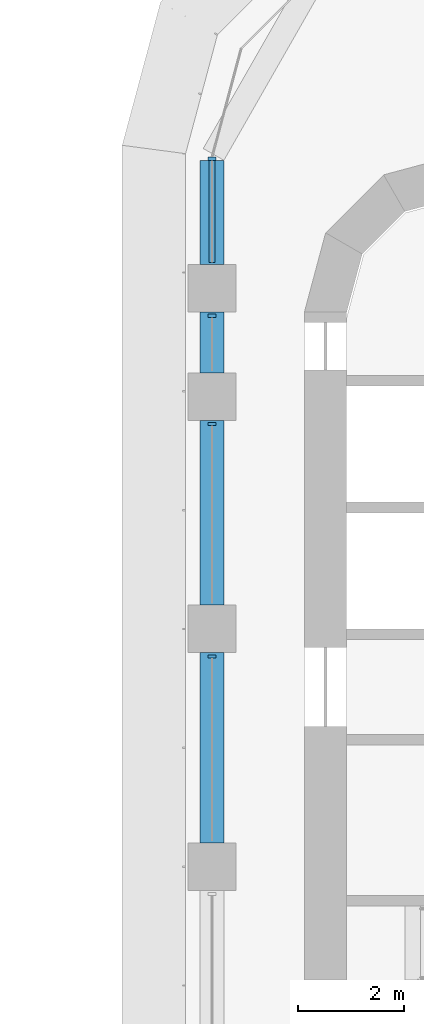
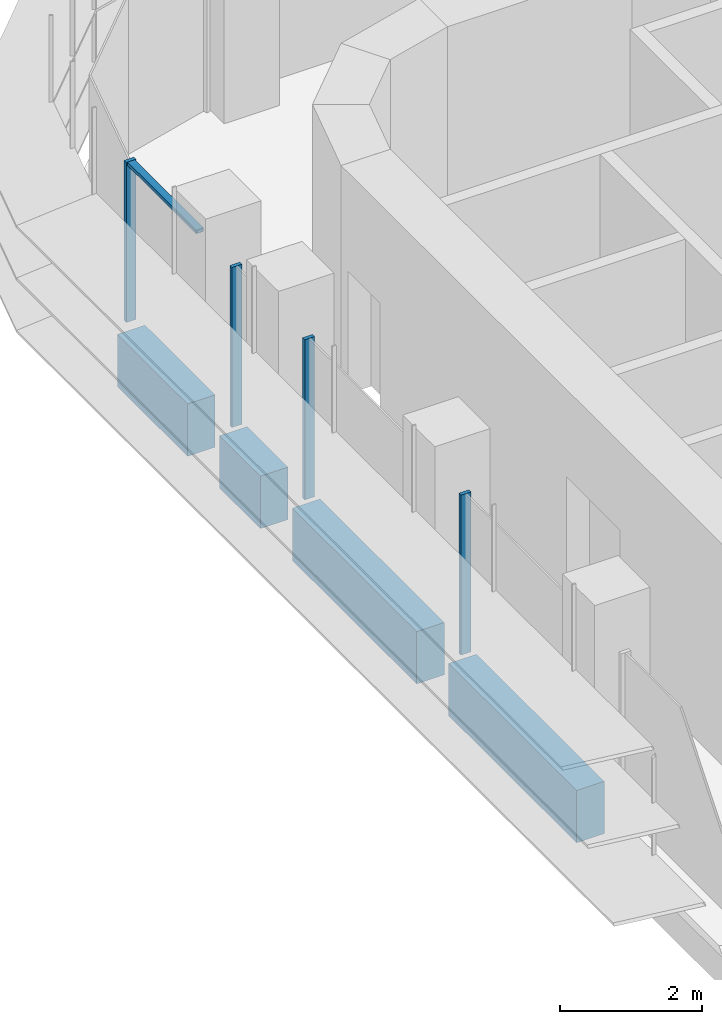
# One storey, part 7 of 23: 5 members, 4 beams, 1 element without a shape of its own.
"""IFC4 building model written with IfcOpenShell, lengths in metres."""

from ifc_helpers import new_model, si_unit, direction, frame, origin, origin_2d, place, context, subcontext, project, spatial, polyline, rectangle, outline, extrude, source, transform, mapped, material, material_profile, profile_set, type_object, element, aggregate, save


model = new_model("IFC4")

# Units and contexts
model_context = context("Model", 3, precision=1e-05, world=origin(), true_north=direction((0.0, 1.0)))
body_context = subcontext(model_context, "Body", "Model", "MODEL_VIEW")
ifc_project = project(units=[si_unit("LENGTHUNIT", "METRE"), si_unit("AREAUNIT", "SQUARE_METRE"), si_unit("VOLUMEUNIT", "CUBIC_METRE"), si_unit("PLANEANGLEUNIT", "RADIAN"), si_unit("MASSUNIT", "GRAM", prefix="KILO")], contexts=[model_context])

# Site, building, storey
site_placement = place(None, origin())
site = spatial("IfcSite", under=ifc_project, at=site_placement, CompositionType="ELEMENT")
building_placement = place(site_placement, origin())
building = spatial("IfcBuilding", under=site, at=building_placement, Name="Zarbagh Exchange Tower", CompositionType="ELEMENT")
storey_placement = place(building_placement, frame((0.0, 0.0, 86.60009765625)))
storey = spatial("IfcBuildingStorey", under=building, at=storey_placement, Name="L19", CompositionType="ELEMENT", Elevation=86.60009765625)

# Beams
ifc_material_1 = material(Name="Concrete C60/75", Category="concrete")
ifc_material_profile = material_profile(ifc_material_1, rectangle(XDim=0.449951171875, YDim=0.89990234375, at=origin_2d()), Name="RC spandrel beam 450 x 900 C60/75")
ifc_profile_set = profile_set([ifc_material_profile], Name="Concrete C60/75")
beam_type = type_object("IfcBeamType", Name="RC spandrel beam 450 x 900 C60/75", PredefinedType="SPANDREL", material=ifc_profile_set)
beam_1_placement = place(storey_placement, frame((-6.25, 16.199951171875, -0.60009765625), z_axis=(0.0, 1.0, 0.0), x_axis=(-1.0, 0.0, 0.0)))
element("IfcBeam", 1, at=beam_1_placement, inside=storey, type_object=beam_type, Name="RC spandrel beam", PredefinedType="SPANDREL", context=body_context, shape_type="SweptSolid", body=[
    extrude(rectangle(XDim=0.449951171875, YDim=0.89990234375, at=origin_2d()), origin(), (0.0, 0.0, 1.0), 3.60009765625),
])
beam_2_placement = place(storey_placement, frame((-6.25, 20.699951171875, -0.60009765625), z_axis=(0.0, 1.0, 0.0), x_axis=(-1.0, 0.0, 0.0)))
element("IfcBeam", 2, at=beam_2_placement, inside=storey, type_object=beam_type, Name="RC spandrel beam", PredefinedType="SPANDREL", context=body_context, shape_type="SweptSolid", body=[
    extrude(rectangle(XDim=0.449951171875, YDim=0.89990234375, at=origin_2d()), origin(), (0.0, 0.0, 1.0), 3.5),
])
beam_3_placement = place(storey_placement, frame((-6.25, 25.10009765625, -0.60009765625), z_axis=(0.0, 1.0, 0.0), x_axis=(-1.0, 0.0, 0.0)))
element("IfcBeam", 3, at=beam_3_placement, inside=storey, type_object=beam_type, Name="RC spandrel beam", PredefinedType="SPANDREL", context=body_context, shape_type="SweptSolid", body=[
    extrude(rectangle(XDim=0.449951171875, YDim=0.89990234375, at=origin_2d()), origin(), (0.0, 0.0, 1.0), 1.14990234375),
])
beam_4_placement = place(storey_placement, frame((-6.25, 27.14990234375, -0.60009765625), z_axis=(0.0, 1.0, 0.0), x_axis=(-1.0, 0.0, 0.0)))
element("IfcBeam", 4, at=beam_4_placement, inside=storey, type_object=beam_type, Name="RC spandrel beam", PredefinedType="SPANDREL", context=body_context, shape_type="SweptSolid", body=[
    extrude(rectangle(XDim=0.449951171875, YDim=0.89990234375, at=origin_2d()), origin(), (0.0, 0.0, 1.0), 1.974609375),
])

# Curtain wall, members
ifc_material_2 = material(Name="Anodised aluminium frame and glazing", Category="aluminium")
curtain_wall_type = type_object("IfcCurtainWallType", Name="CWA Ribbon glazing, lower zones", PredefinedType="NOTDEFINED", material=ifc_material_2)
curtain_wall_placement = place(storey_placement, origin())
curtain_wall = element("IfcCurtainWall", 5, at=curtain_wall_placement, inside=storey, type_object=curtain_wall_type, Name="CWA28 curtain wall", PredefinedType="NOTDEFINED")
ifc_material_3 = material(Name="Anodised aluminium frame", Category="aluminium")
member_type_1 = type_object("IfcMemberType", Name="MUA Mullion, anodised aluminium frame", PredefinedType="MULLION", material=ifc_material_3)
shared_shape_1 = source(origin(), body_context, "Body", "SweptSolid", [
    extrude(outline(polyline([(0.0, -0.080078125), (0.06005859375, -0.080078125), (0.06005859375, 0.080078125), (0.0, 0.080078125), (0.0, -0.080078125)])), origin(), (0.0, 0.0, 1.0), 2.75),
])
placement = place(storey_placement, origin())
member_1 = element("IfcMember", 6, at=placement, type_object=member_type_1, Name="CWA28 mullion 1.1", PredefinedType="MULLION", context=body_context, shape_type="MappedRepresentation", body=[
    mapped(shared_shape_1, transform((-6.25, 29.18408203125, 0.0), x_axis=(0.0, -1.0, 0.0), y_axis=(1.0, 0.0, 0.0), z_axis=(0.0, 0.0, 1.0))),
])
member_2 = element("IfcMember", 7, at=placement, type_object=member_type_1, Name="CWA28 mullion 2.1", PredefinedType="MULLION", context=body_context, shape_type="MappedRepresentation", body=[
    mapped(shared_shape_1, transform((-6.25, 26.2099609375, 0.0), x_axis=(0.0, -1.0, 0.0), y_axis=(1.0, 0.0, 0.0), z_axis=(0.0, 0.0, 1.0))),
])
member_3 = element("IfcMember", 8, at=placement, type_object=member_type_1, Name="CWA28 mullion 3.1", PredefinedType="MULLION", context=body_context, shape_type="MappedRepresentation", body=[
    mapped(shared_shape_1, transform((-6.25, 24.159912109375, 0.0), x_axis=(0.0, -1.0, 0.0), y_axis=(1.0, 0.0, 0.0), z_axis=(0.0, 0.0, 1.0))),
])
member_4 = element("IfcMember", 9, at=placement, type_object=member_type_1, Name="CWA28 mullion 4.1", PredefinedType="MULLION", context=body_context, shape_type="MappedRepresentation", body=[
    mapped(shared_shape_1, transform((-6.25, 19.760009765625, 0.0), x_axis=(0.0, -1.0, 0.0), y_axis=(1.0, 0.0, 0.0), z_axis=(0.0, 0.0, 1.0))),
])
member_type_2 = type_object("IfcMemberType", Name="TRA Transom, anodised aluminium frame", PredefinedType="USERDEFINED", material=ifc_material_3)
shared_shape_2 = source(origin(), body_context, "Body", "SweptSolid", [
    extrude(outline(polyline([(-0.06005859375, -0.06005859375), (0.0, -0.06005859375), (0.0, 0.06005859375), (-0.06005859375, 0.06005859375), (-0.06005859375, -0.06005859375)])), origin(), (0.0, 0.0, 1.0), 1.93408203125),
])
member_5 = element("IfcMember", 10, at=placement, type_object=member_type_2, Name="CWA28 transom 1.1", ObjectType="TRANSOM", PredefinedType="USERDEFINED", context=body_context, shape_type="MappedRepresentation", body=[
    mapped(shared_shape_2, transform((-6.25, 29.124267578125, 2.75), x_axis=(0.0, 0.0, 1.0), y_axis=(-1.0, 0.0, 0.0), z_axis=(0.0, -1.0, 0.0))),
])
aggregate(curtain_wall, [member_1, member_5, member_2, member_3, member_4])

save(model, "model.ifc")
